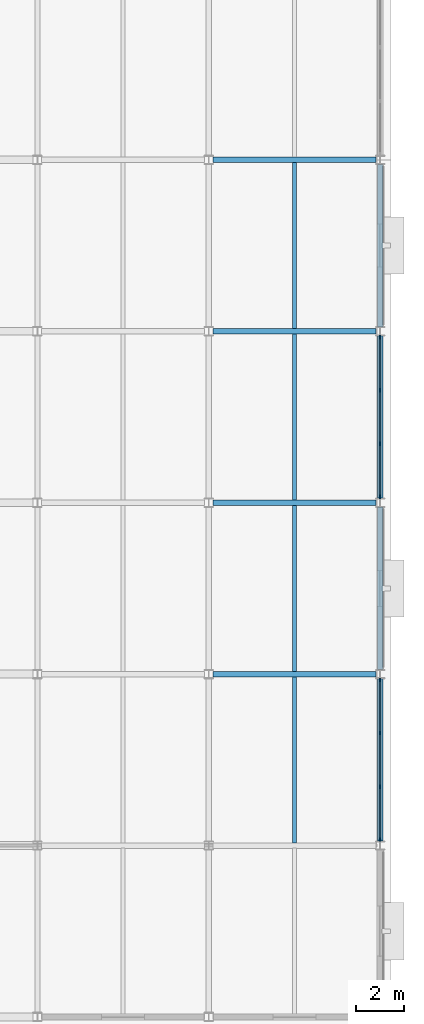
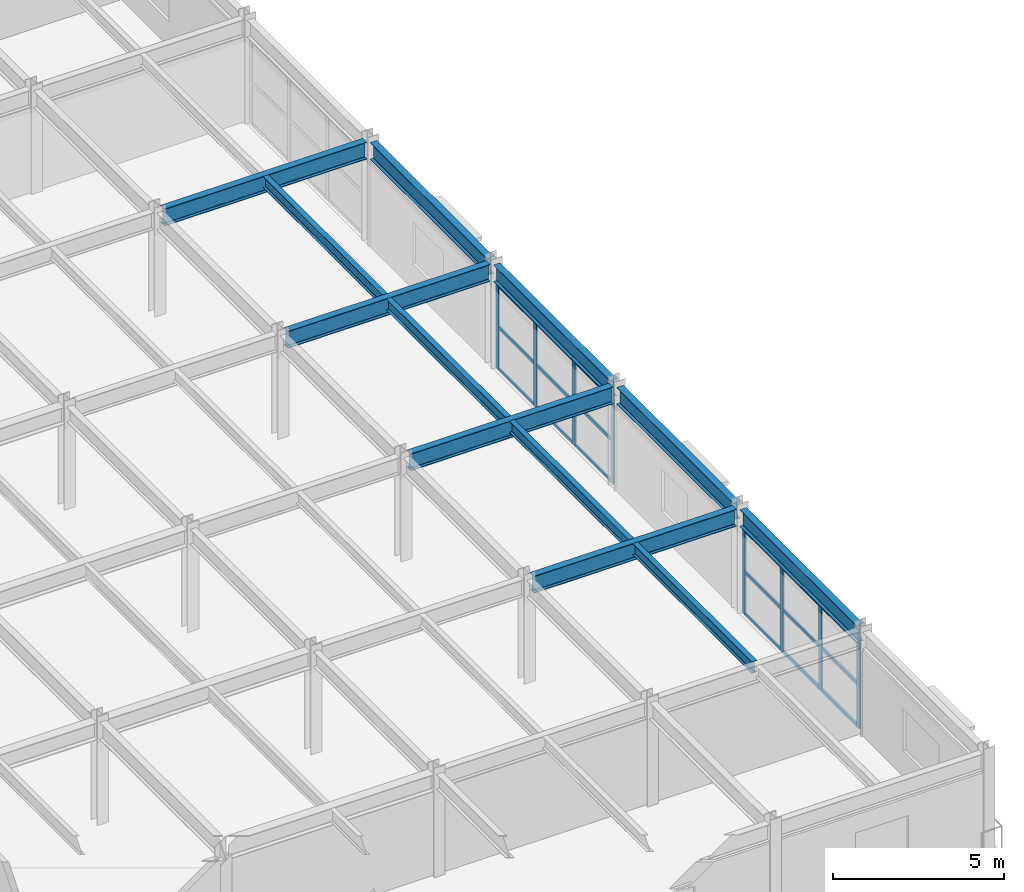
# One storey, part 38 of 93: 26 members, 12 beams, 2 elements without a shape of their own.
"""IFC4 building model written with IfcOpenShell, lengths in metres."""

from ifc_helpers import new_model, si_unit, direction, frame, origin, origin_2d, place, context, subcontext, project, spatial, rectangle, i_section, extrude, material, material_profile, profile_set, type_object, element, aggregate, save


model = new_model("IFC4")

# Units and contexts
model_context = context("Model", 3, precision=1e-05, world=origin(), true_north=direction((0.0, 1.0)))
body_context = subcontext(model_context, "Body", "Model", "MODEL_VIEW")
ifc_project = project(units=[si_unit("LENGTHUNIT", "METRE"), si_unit("AREAUNIT", "SQUARE_METRE"), si_unit("VOLUMEUNIT", "CUBIC_METRE"), si_unit("PLANEANGLEUNIT", "RADIAN"), si_unit("MASSUNIT", "GRAM", prefix="KILO")], contexts=[model_context])

# Site, building, storey
site_placement = place(None, origin())
site = spatial("IfcSite", under=ifc_project, at=site_placement, CompositionType="ELEMENT")
building_placement = place(site_placement, origin())
building = spatial("IfcBuilding", under=site, at=building_placement, Name="Vaelcorin Mobility Hub", CompositionType="ELEMENT")
storey_placement = place(building_placement, frame((0.0, 0.0, 5.39990234375)))
storey = spatial("IfcBuildingStorey", under=building, at=storey_placement, Name="L01", CompositionType="ELEMENT", Elevation=5.39990234375)

# Beams
ifc_material_1 = material(Name="Steel ASTM A992 Grade 50", Category="steel")
ifc_material_profile_1 = material_profile(ifc_material_1, i_section(OverallWidth=0.177978515625, OverallDepth=0.404052734375, WebThickness=0.007568359375, FlangeThickness=0.010986328125, FilletRadius=0.012939453125, at=origin_2d()), Name="W16X36")
ifc_profile_set_1 = profile_set([ifc_material_profile_1], Name="Steel ASTM A992 Grade 50")
beam_type_1 = type_object("IfcBeamType", Name="BM-W16X36", PredefinedType="JOIST", material=ifc_profile_set_1)
beam_1_placement = place(storey_placement, frame((200.39990234375, 13.31201171875, 3.498046875), z_axis=(0.0, 1.0, 0.0), x_axis=(-1.0, 0.0, 0.0)))
element("IfcBeam", 1, at=beam_1_placement, inside=storey, type_object=beam_type_1, Name="L01 Beam V5E-L01-J-02-02-1", PredefinedType="JOIST", context=body_context, shape_type="SweptSolid", body=[
    extrude(i_section(OverallWidth=0.177978515625, OverallDepth=0.404052734375, WebThickness=0.007568359375, FlangeThickness=0.010986328125, FilletRadius=0.012939453125, at=origin_2d()), origin(), (0.0, 0.0, 1.0), 6.97509765625),
])
beam_2_placement = place(storey_placement, frame((200.39990234375, 20.511962890625, 3.498046875), z_axis=(0.0, 1.0, 0.0), x_axis=(-1.0, 0.0, 0.0)))
element("IfcBeam", 2, at=beam_2_placement, inside=storey, type_object=beam_type_1, Name="L01 Beam V5E-L01-J-02-03-1", PredefinedType="JOIST", context=body_context, shape_type="SweptSolid", body=[
    extrude(i_section(OverallWidth=0.177978515625, OverallDepth=0.404052734375, WebThickness=0.007568359375, FlangeThickness=0.010986328125, FilletRadius=0.012939453125, at=origin_2d()), origin(), (0.0, 0.0, 1.0), 6.97607421875),
])
beam_3_placement = place(storey_placement, frame((200.39990234375, 27.712890625, 3.498046875), z_axis=(0.0, 1.0, 0.0), x_axis=(-1.0, 0.0, 0.0)))
element("IfcBeam", 3, at=beam_3_placement, inside=storey, type_object=beam_type_1, Name="L01 Beam V5E-L01-J-02-04-1", PredefinedType="JOIST", context=body_context, shape_type="SweptSolid", body=[
    extrude(i_section(OverallWidth=0.177978515625, OverallDepth=0.404052734375, WebThickness=0.007568359375, FlangeThickness=0.010986328125, FilletRadius=0.012939453125, at=origin_2d()), origin(), (0.0, 0.0, 1.0), 6.97509765625),
])
beam_4_placement = place(storey_placement, frame((200.39990234375, 34.912109375, 3.498046875), z_axis=(0.0, 1.0, 0.0), x_axis=(-1.0, 0.0, 0.0)))
element("IfcBeam", 4, at=beam_4_placement, inside=storey, type_object=beam_type_1, Name="L01 Beam V5E-L01-J-02-05-1", PredefinedType="JOIST", context=body_context, shape_type="SweptSolid", body=[
    extrude(i_section(OverallWidth=0.177978515625, OverallDepth=0.404052734375, WebThickness=0.007568359375, FlangeThickness=0.010986328125, FilletRadius=0.012939453125, at=origin_2d()), origin(), (0.0, 0.0, 1.0), 6.975830078125),
])
ifc_material_profile_2 = material_profile(ifc_material_1, i_section(OverallWidth=0.22802734375, OverallDepth=0.60205078125, WebThickness=0.010498046875, FlangeThickness=0.014892578125, FilletRadius=0.014892578125, at=origin_2d()), Name="W24X68")
ifc_profile_set_2 = profile_set([ifc_material_profile_2], Name="Steel ASTM A992 Grade 50")
beam_type_2 = type_object("IfcBeamType", Name="BM-W24X68", PredefinedType="SPANDREL", material=ifc_profile_set_2)
for number, where, z_axis, x_axis, name in (
    (5, (204.0, 13.384033203125, 3.399169921875), (0.0, 1.0, 0.0), (-1.0, 0.0, 0.0), "L01 Beam V5E-L01-GY-03-02"),
    (6, (204.0, 20.583984375, 3.399169921875), (0.0, 1.0, 0.0), (-1.0, 0.0, 0.0), "L01 Beam V5E-L01-GY-03-03"),
    (7, (204.0, 27.783935546875, 3.399169921875), (0.0, 1.0, 0.0), (-1.0, 0.0, 0.0), "L01 Beam V5E-L01-GY-03-04"),
    (8, (204.0, 34.98388671875, 3.399169921875), (0.0, 1.0, 0.0), (-1.0, 0.0, 0.0), "L01 Beam V5E-L01-GY-03-05"),
):
    element("IfcBeam", number, at=place(storey_placement, frame(where, z_axis=z_axis, x_axis=x_axis)), inside=storey, type_object=beam_type_2, Name=name, PredefinedType="SPANDREL", context=body_context, shape_type="SweptSolid", body=[
        extrude(i_section(OverallWidth=0.22802734375, OverallDepth=0.60205078125, WebThickness=0.010498046875, FlangeThickness=0.014892578125, FilletRadius=0.014892578125, at=origin_2d()), origin(), (0.0, 0.0, 1.0), 6.83203125),
    ])
ifc_material_profile_3 = material_profile(ifc_material_1, i_section(OverallWidth=0.22900390625, OverallDepth=0.612060546875, WebThickness=0.011962890625, FlangeThickness=0.01953125, FilletRadius=0.014892578125, at=origin_2d()), Name="W24X84")
ifc_profile_set_3 = profile_set([ifc_material_profile_3], Name="Steel ASTM A992 Grade 50")
beam_type_3 = type_object("IfcBeamType", Name="BM-W24X84", PredefinedType="BEAM", material=ifc_profile_set_3)
for number, where, z_axis, x_axis, name in (
    (9, (196.985107421875, 20.39990234375, 3.39404296875), (1.0, 0.0, 0.0), (0.0, 1.0, 0.0), "L01 Beam V5E-L01-GX-03-02"),
    (10, (196.985107421875, 27.60009765625, 3.39404296875), (1.0, 0.0, 0.0), (0.0, 1.0, 0.0), "L01 Beam V5E-L01-GX-04-02"),
    (11, (196.985107421875, 34.800048828125, 3.39404296875), (1.0, 0.0, 0.0), (0.0, 1.0, 0.0), "L01 Beam V5E-L01-GX-05-02"),
    (12, (196.985107421875, 42.0, 3.39404296875), (1.0, 0.0, 0.0), (0.0, 1.0, 0.0), "L01 Beam V5E-L01-GX-06-02"),
):
    element("IfcBeam", number, at=place(storey_placement, frame(where, z_axis=z_axis, x_axis=x_axis)), inside=storey, type_object=beam_type_3, Name=name, PredefinedType="BEAM", context=body_context, shape_type="SweptSolid", body=[
        extrude(i_section(OverallWidth=0.22900390625, OverallDepth=0.612060546875, WebThickness=0.011962890625, FlangeThickness=0.01953125, FilletRadius=0.014892578125, at=origin_2d()), origin(), (0.0, 0.0, 1.0), 6.830810546875),
    ])

# Curtain wall, members
ifc_material_2 = material(Name="Anodised aluminium 6063-T6", Category="aluminium")
curtain_wall_type = type_object("IfcCurtainWallType", Name="CW-MOB-A", PredefinedType="NOTDEFINED", material=ifc_material_2)
curtain_wall_1_placement = place(storey_placement, origin())
curtain_wall_1 = element("IfcCurtainWall", 13, at=curtain_wall_1_placement, inside=storey, type_object=curtain_wall_type, Name="L01 Curtain Wall CW-V5-L01-E-02", PredefinedType="NOTDEFINED")
ifc_material_profile_4 = material_profile(ifc_material_2, rectangle(XDim=0.06005859375, YDim=0.159912109375, at=origin_2d()), Name="ALU-M60X160")
ifc_profile_set_4 = profile_set([ifc_material_profile_4], Name="Anodised aluminium 6063-T6")
member_type_1 = type_object("IfcMemberType", Name="CW-MULL-160", PredefinedType="MULLION", material=ifc_profile_set_4)
member_1_placement = place(storey_placement, frame((204.0, 20.14990234375, 0.0), z_axis=(0.0, 0.0, 1.0), x_axis=(1.0, 0.0, 0.0)))
member_1 = element("IfcMember", 14, at=member_1_placement, type_object=member_type_1, Name="CW7 mullion 1", PredefinedType="MULLION", context=body_context, shape_type="SweptSolid", body=[
    extrude(rectangle(XDim=0.06005859375, YDim=0.159912109375, at=origin_2d()), origin(), (0.0, 0.0, 1.0), 3.043212890625),
])
member_2_placement = place(storey_placement, frame((204.0, 17.9267578125, 0.0), z_axis=(0.0, 0.0, 1.0), x_axis=(1.0, 0.0, 0.0)))
member_2 = element("IfcMember", 15, at=member_2_placement, type_object=member_type_1, Name="CW7 mullion 2", PredefinedType="MULLION", context=body_context, shape_type="SweptSolid", body=[
    extrude(rectangle(XDim=0.06005859375, YDim=0.159912109375, at=origin_2d()), origin(), (0.0, 0.0, 1.0), 3.043212890625),
])
member_3_placement = place(storey_placement, frame((204.0, 15.67333984375, 0.0), z_axis=(0.0, 0.0, 1.0), x_axis=(1.0, 0.0, 0.0)))
member_3 = element("IfcMember", 16, at=member_3_placement, type_object=member_type_1, Name="CW7 mullion 3", PredefinedType="MULLION", context=body_context, shape_type="SweptSolid", body=[
    extrude(rectangle(XDim=0.06005859375, YDim=0.159912109375, at=origin_2d()), origin(), (0.0, 0.0, 1.0), 3.043212890625),
])
member_4_placement = place(storey_placement, frame((204.0, 13.449951171875, 0.0), z_axis=(0.0, 0.0, 1.0), x_axis=(1.0, 0.0, 0.0)))
member_4 = element("IfcMember", 17, at=member_4_placement, type_object=member_type_1, Name="CW7 mullion 4", PredefinedType="MULLION", context=body_context, shape_type="SweptSolid", body=[
    extrude(rectangle(XDim=0.06005859375, YDim=0.159912109375, at=origin_2d()), origin(), (0.0, 0.0, 1.0), 3.043212890625),
])

curtain_wall_2_placement = place(storey_placement, origin())
curtain_wall_2 = element("IfcCurtainWall", 18, at=curtain_wall_2_placement, inside=storey, type_object=curtain_wall_type, Name="L01 Curtain Wall CW-V5-L01-E-04", PredefinedType="NOTDEFINED")
member_5_placement = place(storey_placement, frame((204.0, 34.550048828125, 0.0), z_axis=(0.0, 0.0, 1.0), x_axis=(1.0, 0.0, 0.0)))
member_5 = element("IfcMember", 19, at=member_5_placement, type_object=member_type_1, Name="CW7 mullion 1", PredefinedType="MULLION", context=body_context, shape_type="SweptSolid", body=[
    extrude(rectangle(XDim=0.06005859375, YDim=0.159912109375, at=origin_2d()), origin(), (0.0, 0.0, 1.0), 3.043212890625),
])
member_6_placement = place(storey_placement, frame((204.0, 32.32666015625, 0.0), z_axis=(0.0, 0.0, 1.0), x_axis=(1.0, 0.0, 0.0)))
member_6 = element("IfcMember", 20, at=member_6_placement, type_object=member_type_1, Name="CW7 mullion 2", PredefinedType="MULLION", context=body_context, shape_type="SweptSolid", body=[
    extrude(rectangle(XDim=0.06005859375, YDim=0.159912109375, at=origin_2d()), origin(), (0.0, 0.0, 1.0), 3.043212890625),
])
member_7_placement = place(storey_placement, frame((204.0, 30.0732421875, 0.0), z_axis=(0.0, 0.0, 1.0), x_axis=(1.0, 0.0, 0.0)))
member_7 = element("IfcMember", 21, at=member_7_placement, type_object=member_type_1, Name="CW7 mullion 3", PredefinedType="MULLION", context=body_context, shape_type="SweptSolid", body=[
    extrude(rectangle(XDim=0.06005859375, YDim=0.159912109375, at=origin_2d()), origin(), (0.0, 0.0, 1.0), 3.043212890625),
])
member_8_placement = place(storey_placement, frame((204.0, 27.85009765625, 0.0), z_axis=(0.0, 0.0, 1.0), x_axis=(1.0, 0.0, 0.0)))
member_8 = element("IfcMember", 22, at=member_8_placement, type_object=member_type_1, Name="CW7 mullion 4", PredefinedType="MULLION", context=body_context, shape_type="SweptSolid", body=[
    extrude(rectangle(XDim=0.06005859375, YDim=0.159912109375, at=origin_2d()), origin(), (0.0, 0.0, 1.0), 3.043212890625),
])

# Member
ifc_material_profile_5 = material_profile(ifc_material_2, rectangle(XDim=0.06005859375, YDim=0.1201171875, at=origin_2d()), Name="ALU-T60X120")
ifc_profile_set_5 = profile_set([ifc_material_profile_5], Name="Anodised aluminium 6063-T6")
member_type_2 = type_object("IfcMemberType", Name="CW-TRAN-140", PredefinedType="USERDEFINED", material=ifc_profile_set_5)
member_9_placement = place(storey_placement, frame((204.0, 20.1201171875, 0.030029296875), z_axis=(0.0, -1.0, 0.0), x_axis=(1.0, 0.0, 0.0)))
member_9 = element("IfcMember", 23, at=member_9_placement, type_object=member_type_2, Name="CW7 transom 1.1", ObjectType="TRANSOM", PredefinedType="USERDEFINED", context=body_context, shape_type="SweptSolid", body=[
    extrude(rectangle(XDim=0.06005859375, YDim=0.1201171875, at=origin_2d()), origin(), (0.0, 0.0, 1.0), 2.163330078125),
])

member_10_placement = place(storey_placement, frame((204.0, 20.1201171875, 1.522216796875), z_axis=(0.0, -1.0, 0.0), x_axis=(1.0, 0.0, 0.0)))
member_10 = element("IfcMember", 24, at=member_10_placement, type_object=member_type_2, Name="CW7 transom 1.2", ObjectType="TRANSOM", PredefinedType="USERDEFINED", context=body_context, shape_type="SweptSolid", body=[
    extrude(rectangle(XDim=0.06005859375, YDim=0.1201171875, at=origin_2d()), origin(), (0.0, 0.0, 1.0), 2.163330078125),
])

member_11_placement = place(storey_placement, frame((204.0, 20.1201171875, 3.01318359375), z_axis=(0.0, -1.0, 0.0), x_axis=(1.0, 0.0, 0.0)))
member_11 = element("IfcMember", 25, at=member_11_placement, type_object=member_type_2, Name="CW7 transom 1.3", ObjectType="TRANSOM", PredefinedType="USERDEFINED", context=body_context, shape_type="SweptSolid", body=[
    extrude(rectangle(XDim=0.06005859375, YDim=0.1201171875, at=origin_2d()), origin(), (0.0, 0.0, 1.0), 2.163330078125),
])

member_12_placement = place(storey_placement, frame((204.0, 17.896728515625, 0.030029296875), z_axis=(0.0, -1.0, 0.0), x_axis=(1.0, 0.0, 0.0)))
member_12 = element("IfcMember", 26, at=member_12_placement, type_object=member_type_2, Name="CW7 transom 2.1", ObjectType="TRANSOM", PredefinedType="USERDEFINED", context=body_context, shape_type="SweptSolid", body=[
    extrude(rectangle(XDim=0.06005859375, YDim=0.1201171875, at=origin_2d()), origin(), (0.0, 0.0, 1.0), 2.193359375),
])

member_13_placement = place(storey_placement, frame((204.0, 17.896728515625, 1.522216796875), z_axis=(0.0, -1.0, 0.0), x_axis=(1.0, 0.0, 0.0)))
member_13 = element("IfcMember", 27, at=member_13_placement, type_object=member_type_2, Name="CW7 transom 2.2", ObjectType="TRANSOM", PredefinedType="USERDEFINED", context=body_context, shape_type="SweptSolid", body=[
    extrude(rectangle(XDim=0.06005859375, YDim=0.1201171875, at=origin_2d()), origin(), (0.0, 0.0, 1.0), 2.193359375),
])

member_14_placement = place(storey_placement, frame((204.0, 17.896728515625, 3.01318359375), z_axis=(0.0, -1.0, 0.0), x_axis=(1.0, 0.0, 0.0)))
member_14 = element("IfcMember", 28, at=member_14_placement, type_object=member_type_2, Name="CW7 transom 2.3", ObjectType="TRANSOM", PredefinedType="USERDEFINED", context=body_context, shape_type="SweptSolid", body=[
    extrude(rectangle(XDim=0.06005859375, YDim=0.1201171875, at=origin_2d()), origin(), (0.0, 0.0, 1.0), 2.193359375),
])

member_15_placement = place(storey_placement, frame((204.0, 15.643310546875, 0.030029296875), z_axis=(0.0, -1.0, 0.0), x_axis=(1.0, 0.0, 0.0)))
member_15 = element("IfcMember", 29, at=member_15_placement, type_object=member_type_2, Name="CW7 transom 3.1", ObjectType="TRANSOM", PredefinedType="USERDEFINED", context=body_context, shape_type="SweptSolid", body=[
    extrude(rectangle(XDim=0.06005859375, YDim=0.1201171875, at=origin_2d()), origin(), (0.0, 0.0, 1.0), 2.163330078125),
])

member_16_placement = place(storey_placement, frame((204.0, 15.643310546875, 1.522216796875), z_axis=(0.0, -1.0, 0.0), x_axis=(1.0, 0.0, 0.0)))
member_16 = element("IfcMember", 30, at=member_16_placement, type_object=member_type_2, Name="CW7 transom 3.2", ObjectType="TRANSOM", PredefinedType="USERDEFINED", context=body_context, shape_type="SweptSolid", body=[
    extrude(rectangle(XDim=0.06005859375, YDim=0.1201171875, at=origin_2d()), origin(), (0.0, 0.0, 1.0), 2.163330078125),
])

member_17_placement = place(storey_placement, frame((204.0, 15.643310546875, 3.01318359375), z_axis=(0.0, -1.0, 0.0), x_axis=(1.0, 0.0, 0.0)))
member_17 = element("IfcMember", 31, at=member_17_placement, type_object=member_type_2, Name="CW7 transom 3.3", ObjectType="TRANSOM", PredefinedType="USERDEFINED", context=body_context, shape_type="SweptSolid", body=[
    extrude(rectangle(XDim=0.06005859375, YDim=0.1201171875, at=origin_2d()), origin(), (0.0, 0.0, 1.0), 2.163330078125),
])

aggregate(curtain_wall_1, [member_1, member_2, member_3, member_4, member_9, member_10, member_11, member_12, member_13, member_14, member_15, member_16, member_17])

member_18_placement = place(storey_placement, frame((204.0, 34.52001953125, 0.030029296875), z_axis=(0.0, -1.0, 0.0), x_axis=(1.0, 0.0, 0.0)))
member_18 = element("IfcMember", 32, at=member_18_placement, type_object=member_type_2, Name="CW7 transom 1.1", ObjectType="TRANSOM", PredefinedType="USERDEFINED", context=body_context, shape_type="SweptSolid", body=[
    extrude(rectangle(XDim=0.06005859375, YDim=0.1201171875, at=origin_2d()), origin(), (0.0, 0.0, 1.0), 2.163330078125),
])

member_19_placement = place(storey_placement, frame((204.0, 34.52001953125, 1.522216796875), z_axis=(0.0, -1.0, 0.0), x_axis=(1.0, 0.0, 0.0)))
member_19 = element("IfcMember", 33, at=member_19_placement, type_object=member_type_2, Name="CW7 transom 1.2", ObjectType="TRANSOM", PredefinedType="USERDEFINED", context=body_context, shape_type="SweptSolid", body=[
    extrude(rectangle(XDim=0.06005859375, YDim=0.1201171875, at=origin_2d()), origin(), (0.0, 0.0, 1.0), 2.163330078125),
])

member_20_placement = place(storey_placement, frame((204.0, 34.52001953125, 3.01318359375), z_axis=(0.0, -1.0, 0.0), x_axis=(1.0, 0.0, 0.0)))
member_20 = element("IfcMember", 34, at=member_20_placement, type_object=member_type_2, Name="CW7 transom 1.3", ObjectType="TRANSOM", PredefinedType="USERDEFINED", context=body_context, shape_type="SweptSolid", body=[
    extrude(rectangle(XDim=0.06005859375, YDim=0.1201171875, at=origin_2d()), origin(), (0.0, 0.0, 1.0), 2.163330078125),
])

member_21_placement = place(storey_placement, frame((204.0, 32.296630859375, 0.030029296875), z_axis=(0.0, -1.0, 0.0), x_axis=(1.0, 0.0, 0.0)))
member_21 = element("IfcMember", 35, at=member_21_placement, type_object=member_type_2, Name="CW7 transom 2.1", ObjectType="TRANSOM", PredefinedType="USERDEFINED", context=body_context, shape_type="SweptSolid", body=[
    extrude(rectangle(XDim=0.06005859375, YDim=0.1201171875, at=origin_2d()), origin(), (0.0, 0.0, 1.0), 2.193359375),
])

member_22_placement = place(storey_placement, frame((204.0, 32.296630859375, 1.522216796875), z_axis=(0.0, -1.0, 0.0), x_axis=(1.0, 0.0, 0.0)))
member_22 = element("IfcMember", 36, at=member_22_placement, type_object=member_type_2, Name="CW7 transom 2.2", ObjectType="TRANSOM", PredefinedType="USERDEFINED", context=body_context, shape_type="SweptSolid", body=[
    extrude(rectangle(XDim=0.06005859375, YDim=0.1201171875, at=origin_2d()), origin(), (0.0, 0.0, 1.0), 2.193359375),
])

member_23_placement = place(storey_placement, frame((204.0, 32.296630859375, 3.01318359375), z_axis=(0.0, -1.0, 0.0), x_axis=(1.0, 0.0, 0.0)))
member_23 = element("IfcMember", 37, at=member_23_placement, type_object=member_type_2, Name="CW7 transom 2.3", ObjectType="TRANSOM", PredefinedType="USERDEFINED", context=body_context, shape_type="SweptSolid", body=[
    extrude(rectangle(XDim=0.06005859375, YDim=0.1201171875, at=origin_2d()), origin(), (0.0, 0.0, 1.0), 2.193359375),
])

member_24_placement = place(storey_placement, frame((204.0, 30.043212890625, 0.030029296875), z_axis=(0.0, -1.0, 0.0), x_axis=(1.0, 0.0, 0.0)))
member_24 = element("IfcMember", 38, at=member_24_placement, type_object=member_type_2, Name="CW7 transom 3.1", ObjectType="TRANSOM", PredefinedType="USERDEFINED", context=body_context, shape_type="SweptSolid", body=[
    extrude(rectangle(XDim=0.06005859375, YDim=0.1201171875, at=origin_2d()), origin(), (0.0, 0.0, 1.0), 2.163330078125),
])

member_25_placement = place(storey_placement, frame((204.0, 30.043212890625, 1.522216796875), z_axis=(0.0, -1.0, 0.0), x_axis=(1.0, 0.0, 0.0)))
member_25 = element("IfcMember", 39, at=member_25_placement, type_object=member_type_2, Name="CW7 transom 3.2", ObjectType="TRANSOM", PredefinedType="USERDEFINED", context=body_context, shape_type="SweptSolid", body=[
    extrude(rectangle(XDim=0.06005859375, YDim=0.1201171875, at=origin_2d()), origin(), (0.0, 0.0, 1.0), 2.163330078125),
])

member_26_placement = place(storey_placement, frame((204.0, 30.043212890625, 3.01318359375), z_axis=(0.0, -1.0, 0.0), x_axis=(1.0, 0.0, 0.0)))
member_26 = element("IfcMember", 40, at=member_26_placement, type_object=member_type_2, Name="CW7 transom 3.3", ObjectType="TRANSOM", PredefinedType="USERDEFINED", context=body_context, shape_type="SweptSolid", body=[
    extrude(rectangle(XDim=0.06005859375, YDim=0.1201171875, at=origin_2d()), origin(), (0.0, 0.0, 1.0), 2.163330078125),
])

aggregate(curtain_wall_2, [member_5, member_6, member_7, member_8, member_18, member_19, member_20, member_21, member_22, member_23, member_24, member_25, member_26])

save(model, "model.ifc")
